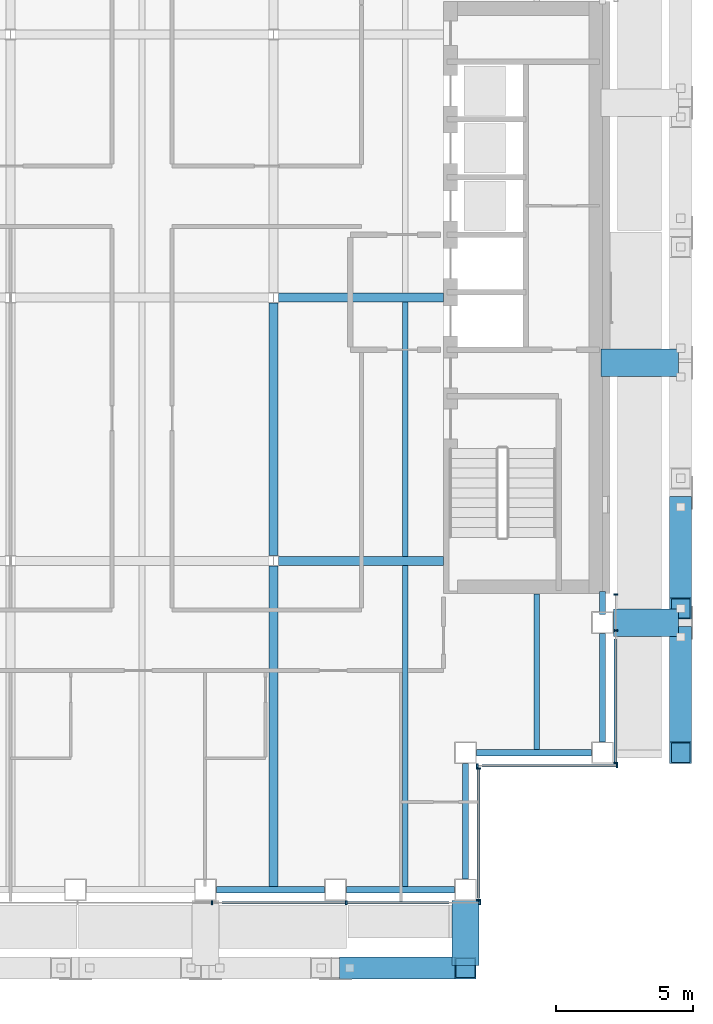
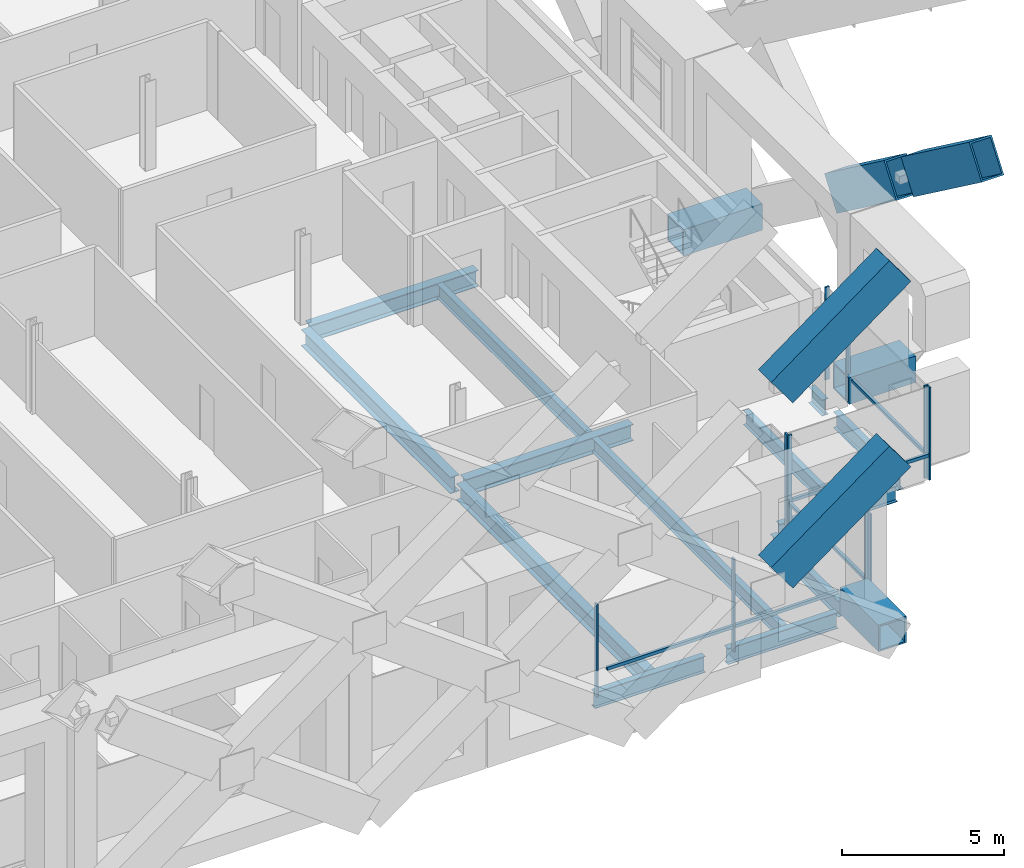
# One storey, part 6 of 25: 19 members, 16 beams, 4 elements without a shape of their own.
"""IFC4 building model written with IfcOpenShell, lengths in metres."""

from ifc_helpers import new_model, si_unit, direction, frame, origin, origin_2d, place, context, subcontext, project, spatial, rectangle, hollow_rectangle, i_section, extrude, material, material_profile, profile_set, type_object, element, aggregate, save


model = new_model("IFC4")

# Units and contexts
model_context = context("Model", 3, precision=1e-05, world=origin(), true_north=direction((0.0, 1.0)))
body_context = subcontext(model_context, "Body", "Model", "MODEL_VIEW")
ifc_project = project(units=[si_unit("LENGTHUNIT", "METRE"), si_unit("AREAUNIT", "SQUARE_METRE"), si_unit("VOLUMEUNIT", "CUBIC_METRE"), si_unit("PLANEANGLEUNIT", "RADIAN"), si_unit("MASSUNIT", "GRAM", prefix="KILO")], contexts=[model_context])

# Site, building, storey
site_placement = place(None, origin())
site = spatial("IfcSite", under=ifc_project, at=site_placement, CompositionType="ELEMENT")
building_placement = place(site_placement, origin())
building = spatial("IfcBuilding", under=site, at=building_placement, Name="Cobrizo Arcos Hotel Tower", CompositionType="ELEMENT")
storey_placement = place(building_placement, frame((0.0, 0.0, 148.0)))
storey = spatial("IfcBuildingStorey", under=building, at=storey_placement, Name="L37", CompositionType="ELEMENT", Elevation=148.0)

# Beams
ifc_material_1 = material(Name="Steel ASTM A572 Grade 50", Category="steel")
ifc_material_profile_1 = material_profile(ifc_material_1, hollow_rectangle(XDim=1.0, YDim=1.0, WallThickness=0.06005859375, at=origin_2d()), Name="BOX 1000X1000X60")
ifc_profile_set_1 = profile_set([ifc_material_profile_1], Name="Steel ASTM A572 Grade 50")
beam_type_1 = type_object("IfcBeamType", Name="BOX 1000X1000X60 brace connector strut", PredefinedType="BEAM", material=ifc_profile_set_1)
beam_1_placement = place(storey_placement, frame((21.989990234375, -11.857177734375, 0.5), z_axis=(1.0, 0.0, 0.0), x_axis=(0.0, 1.0, 0.0)))
element("IfcBeam", 1, at=beam_1_placement, inside=storey, type_object=beam_type_1, Name="Perimeter brace stub BS1, zone Z3, east face, offset -11.86 m, L37", PredefinedType="BEAM", context=body_context, shape_type="SweptSolid", body=[
    extrude(hollow_rectangle(XDim=1.0, YDim=1.0, WallThickness=0.06005859375, at=origin_2d()), origin(), (0.0, 0.0, 1.0), 2.380126953125),
])
beam_2_placement = place(storey_placement, frame((21.550048828125, -2.371337890625, 0.5), z_axis=(1.0, 0.0, 0.0), x_axis=(0.0, 1.0, 0.0)))
element("IfcBeam", 2, at=beam_2_placement, inside=storey, type_object=beam_type_1, Name="Perimeter brace stub BS1, zone Z3, east face, offset -2.37 m, L37", PredefinedType="BEAM", context=body_context, shape_type="SweptSolid", body=[
    extrude(hollow_rectangle(XDim=1.0, YDim=1.0, WallThickness=0.06005859375, at=origin_2d()), origin(), (0.0, 0.0, 1.0), 2.820068359375),
])
beam_3_placement = place(storey_placement, frame((16.60009765625, -21.989990234375, 0.5), z_axis=(0.0, -1.0, 0.0), x_axis=(1.0, 0.0, 0.0)))
element("IfcBeam", 3, at=beam_3_placement, inside=storey, type_object=beam_type_1, Name="Perimeter brace stub BS1, zone Z3, south face, offset +16.60 m, L37", PredefinedType="BEAM", context=body_context, shape_type="SweptSolid", body=[
    extrude(hollow_rectangle(XDim=1.0, YDim=1.0, WallThickness=0.06005859375, at=origin_2d()), origin(), (0.0, 0.0, 1.0), 2.380126953125),
])

# Members
ifc_material_profile_2 = material_profile(ifc_material_1, hollow_rectangle(XDim=0.800048828125, YDim=1.300048828125, WallThickness=0.06005859375, at=origin_2d()), Name="BOX 800X1300X60")
ifc_profile_set_2 = profile_set([ifc_material_profile_2], Name="Steel ASTM A572 Grade 50")
member_type_1 = type_object("IfcMemberType", Name="BOX 800X1300X60 perimeter brace", PredefinedType="BRACE", material=ifc_profile_set_2)
member_1_placement = place(storey_placement, frame((24.449951171875, -7.637451171875, 4.385986328125), z_axis=(0.0, -0.804612164142, 0.593800694943), x_axis=(1.0, 0.0, 0.0)))
element("IfcMember", 4, at=member_1_placement, inside=storey, type_object=member_type_1, Name="Perimeter brace PBR3, zone Z3, east face, no. 01b", PredefinedType="BRACE", context=body_context, shape_type="SweptSolid", body=[
    extrude(hollow_rectangle(XDim=0.800048828125, YDim=1.300048828125, WallThickness=0.06005859375, at=origin_2d()), origin(), (0.0, 0.0, 1.0), 4.59423828125),
])
for number, where, z_axis, x_axis, name in (
    (5, (24.449951171875, -12.38037109375, 7.885986328125), (0.0, -0.804623858684, 0.593784848271), (1.0, 0.0, 0.0), "Perimeter brace PBR3, zone Z3, east face, no. 01c"),
    (6, (12.38037109375, -24.449951171875, 11.385986328125), (0.804623858684, 0.0, 0.593784848271), (0.0, 1.0, 0.0), "Perimeter brace PBR3, zone Z3, south face, no. 02d"),
    (7, (12.38037109375, -24.449951171875, 4.385986328125), (0.804623858684, 0.0, 0.593784848271), (0.0, 1.0, 0.0), "Perimeter brace PBR3, zone Z3, south face, no. 04b"),
):
    element("IfcMember", number, at=place(storey_placement, frame(where, z_axis=z_axis, x_axis=x_axis)), inside=storey, type_object=member_type_1, Name=name, PredefinedType="BRACE", context=body_context, shape_type="SweptSolid", body=[
        extrude(hollow_rectangle(XDim=0.800048828125, YDim=1.300048828125, WallThickness=0.06005859375, at=origin_2d()), origin(), (0.0, 0.0, 1.0), 5.244384765625),
    ])

# Curtain wall, members
ifc_material_2 = material(Name="Aluminium 6063-T6 anodised bronze", Category="aluminium")
curtain_wall_type = type_object("IfcCurtainWallType", Name="CW-A guest facade", PredefinedType="NOTDEFINED", material=ifc_material_2)
curtain_wall_1_placement = place(storey_placement, origin())
curtain_wall_1 = element("IfcCurtainWall", 8, at=curtain_wall_1_placement, inside=storey, type_object=curtain_wall_type, Name="CW-A L37 S face", PredefinedType="NOTDEFINED")
ifc_material_profile_3 = material_profile(ifc_material_2, rectangle(XDim=0.14990234375, YDim=0.06005859375, at=origin_2d()), Name="CW-A mullion 150x60")
ifc_profile_set_3 = profile_set([ifc_material_profile_3], Name="Aluminium 6063-T6 anodised bronze")
member_type_2 = type_object("IfcMemberType", Name="CW-A mullion 150x60", PredefinedType="MULLION", material=ifc_profile_set_3)
member_2_placement = place(storey_placement, frame((7.35009765625, -22.074951171875, 0.0), z_axis=(0.0, 0.0, 1.0), x_axis=(0.0, -1.0, 0.0)))
member_2 = element("IfcMember", 9, at=member_2_placement, type_object=member_type_2, Name="CW-A mullion 6", PredefinedType="MULLION", context=body_context, shape_type="SweptSolid", body=[
    extrude(rectangle(XDim=0.14990234375, YDim=0.06005859375, at=origin_2d()), origin(), (0.0, 0.0, 1.0), 3.5),
])
member_3_placement = place(storey_placement, frame((12.25, -22.074951171875, 0.0), z_axis=(0.0, 0.0, 1.0), x_axis=(0.0, -1.0, 0.0)))
member_3 = element("IfcMember", 10, at=member_3_placement, type_object=member_type_2, Name="CW-A mullion 7", PredefinedType="MULLION", context=body_context, shape_type="SweptSolid", body=[
    extrude(rectangle(XDim=0.14990234375, YDim=0.06005859375, at=origin_2d()), origin(), (0.0, 0.0, 1.0), 3.5),
])
member_4_placement = place(storey_placement, frame((17.1201171875, -22.074951171875, 0.0), z_axis=(0.0, 0.0, 1.0), x_axis=(0.0, -1.0, 0.0)))
member_4 = element("IfcMember", 11, at=member_4_placement, type_object=member_type_2, Name="CW-A mullion 8", PredefinedType="MULLION", context=body_context, shape_type="SweptSolid", body=[
    extrude(rectangle(XDim=0.14990234375, YDim=0.06005859375, at=origin_2d()), origin(), (0.0, 0.0, 1.0), 3.5),
])

curtain_wall_2_placement = place(storey_placement, origin())
curtain_wall_2 = element("IfcCurtainWall", 12, at=curtain_wall_2_placement, inside=storey, type_object=curtain_wall_type, Name="CW-A L37 E face", PredefinedType="NOTDEFINED")
member_5_placement = place(storey_placement, frame((17.074951171875, -21.969970703125, 0.0), z_axis=(0.0, 0.0, 1.0), x_axis=(1.0, 0.0, 0.0)))
member_5 = element("IfcMember", 13, at=member_5_placement, type_object=member_type_2, Name="CW-A mullion 1", PredefinedType="MULLION", context=body_context, shape_type="SweptSolid", body=[
    extrude(rectangle(XDim=0.14990234375, YDim=0.06005859375, at=origin_2d()), origin(), (0.0, 0.0, 1.0), 3.5),
])
member_6_placement = place(storey_placement, frame((17.074951171875, -17.179931640625, 0.0), z_axis=(0.0, 0.0, 1.0), x_axis=(1.0, 0.0, 0.0)))
member_6 = element("IfcMember", 14, at=member_6_placement, type_object=member_type_2, Name="CW-A mullion 2", PredefinedType="MULLION", context=body_context, shape_type="SweptSolid", body=[
    extrude(rectangle(XDim=0.14990234375, YDim=0.06005859375, at=origin_2d()), origin(), (0.0, 0.0, 1.0), 3.5),
])

curtain_wall_3_placement = place(storey_placement, origin())
curtain_wall_3 = element("IfcCurtainWall", 15, at=curtain_wall_3_placement, inside=storey, type_object=curtain_wall_type, Name="CW-A L37 S face", PredefinedType="NOTDEFINED")
member_7_placement = place(storey_placement, frame((17.030029296875, -17.074951171875, 0.0), z_axis=(0.0, 0.0, 1.0), x_axis=(0.0, -1.0, 0.0)))
member_7 = element("IfcMember", 16, at=member_7_placement, type_object=member_type_2, Name="CW-A mullion 1", PredefinedType="MULLION", context=body_context, shape_type="SweptSolid", body=[
    extrude(rectangle(XDim=0.14990234375, YDim=0.06005859375, at=origin_2d()), origin(), (0.0, 0.0, 1.0), 3.5),
])
member_8_placement = place(storey_placement, frame((22.1201171875, -17.074951171875, 0.0), z_axis=(0.0, 0.0, 1.0), x_axis=(0.0, -1.0, 0.0)))
member_8 = element("IfcMember", 17, at=member_8_placement, type_object=member_type_2, Name="CW-A mullion 2", PredefinedType="MULLION", context=body_context, shape_type="SweptSolid", body=[
    extrude(rectangle(XDim=0.14990234375, YDim=0.06005859375, at=origin_2d()), origin(), (0.0, 0.0, 1.0), 3.5),
])

curtain_wall_4_placement = place(storey_placement, origin())
curtain_wall_4 = element("IfcCurtainWall", 18, at=curtain_wall_4_placement, inside=storey, type_object=curtain_wall_type, Name="CW-A L37 E face", PredefinedType="NOTDEFINED")
member_9_placement = place(storey_placement, frame((22.074951171875, -16.969970703125, 0.0), z_axis=(0.0, 0.0, 1.0), x_axis=(1.0, 0.0, 0.0)))
member_9 = element("IfcMember", 19, at=member_9_placement, type_object=member_type_2, Name="CW-A mullion 1", PredefinedType="MULLION", context=body_context, shape_type="SweptSolid", body=[
    extrude(rectangle(XDim=0.14990234375, YDim=0.06005859375, at=origin_2d()), origin(), (0.0, 0.0, 1.0), 3.5),
])
member_10_placement = place(storey_placement, frame((22.074951171875, -12.142822265625, 0.0), z_axis=(0.0, 0.0, 1.0), x_axis=(1.0, 0.0, 0.0)))
member_10 = element("IfcMember", 20, at=member_10_placement, type_object=member_type_2, Name="CW-A mullion 2", PredefinedType="MULLION", context=body_context, shape_type="SweptSolid", body=[
    extrude(rectangle(XDim=0.14990234375, YDim=0.06005859375, at=origin_2d()), origin(), (0.0, 0.0, 1.0), 3.5),
])
member_11_placement = place(storey_placement, frame((22.074951171875, -10.830078125, 0.0), z_axis=(0.0, 0.0, 1.0), x_axis=(1.0, 0.0, 0.0)))
member_11 = element("IfcMember", 21, at=member_11_placement, type_object=member_type_2, Name="CW-A mullion 3", PredefinedType="MULLION", context=body_context, shape_type="SweptSolid", body=[
    extrude(rectangle(XDim=0.14990234375, YDim=0.06005859375, at=origin_2d()), origin(), (0.0, 0.0, 1.0), 3.5),
])

# Member
ifc_material_profile_4 = material_profile(ifc_material_2, rectangle(XDim=0.10009765625, YDim=0.1201171875, at=origin_2d()), Name="CW-A transom 120x100")
ifc_profile_set_4 = profile_set([ifc_material_profile_4], Name="Aluminium 6063-T6 anodised bronze")
member_type_3 = type_object("IfcMemberType", Name="CW-A transom 120x100", PredefinedType="USERDEFINED", material=ifc_profile_set_4)
member_12_placement = place(storey_placement, frame((7.71435546875, -22.074951171875, 0.929931640625), z_axis=(1.0, 0.0, 0.0), x_axis=(0.0, 1.0, 0.0)))
member_12 = element("IfcMember", 22, at=member_12_placement, type_object=member_type_3, Name="CW-A transom 1341", ObjectType="TRANSOM", PredefinedType="USERDEFINED", context=body_context, shape_type="SweptSolid", body=[
    extrude(rectangle(XDim=0.10009765625, YDim=0.1201171875, at=origin_2d()), origin(), (0.0, 0.0, 1.0), 4.505615234375),
])

member_13_placement = place(storey_placement, frame((12.280029296875, -22.074951171875, 0.929931640625), z_axis=(1.0, 0.0, 0.0), x_axis=(0.0, 1.0, 0.0)))
member_13 = element("IfcMember", 23, at=member_13_placement, type_object=member_type_3, Name="CW-A transom 1342", ObjectType="TRANSOM", PredefinedType="USERDEFINED", context=body_context, shape_type="SweptSolid", body=[
    extrude(rectangle(XDim=0.10009765625, YDim=0.1201171875, at=origin_2d()), origin(), (0.0, 0.0, 1.0), 3.719970703125),
])

aggregate(curtain_wall_1, [member_2, member_3, member_4, member_12, member_13])

member_14_placement = place(storey_placement, frame((17.074951171875, -21.889892578125, 0.929931640625), z_axis=(0.0, 1.0, 0.0), x_axis=(-1.0, 0.0, 0.0)))
member_14 = element("IfcMember", 24, at=member_14_placement, type_object=member_type_3, Name="CW-A transom 1343", ObjectType="TRANSOM", PredefinedType="USERDEFINED", context=body_context, shape_type="SweptSolid", body=[
    extrude(rectangle(XDim=0.10009765625, YDim=0.1201171875, at=origin_2d()), origin(), (0.0, 0.0, 1.0), 4.679931640625),
])

aggregate(curtain_wall_2, [member_5, member_6, member_14])

member_15_placement = place(storey_placement, frame((17.199951171875, -17.074951171875, 0.929931640625), z_axis=(1.0, 0.0, 0.0), x_axis=(0.0, 1.0, 0.0)))
member_15 = element("IfcMember", 25, at=member_15_placement, type_object=member_type_3, Name="CW-A transom 1344", ObjectType="TRANSOM", PredefinedType="USERDEFINED", context=body_context, shape_type="SweptSolid", body=[
    extrude(rectangle(XDim=0.10009765625, YDim=0.1201171875, at=origin_2d()), origin(), (0.0, 0.0, 1.0), 4.89013671875),
])

aggregate(curtain_wall_3, [member_7, member_8, member_15])

member_16_placement = place(storey_placement, frame((22.074951171875, -16.93994140625, 0.929931640625), z_axis=(0.0, 1.0, 0.0), x_axis=(-1.0, 0.0, 0.0)))
member_16 = element("IfcMember", 26, at=member_16_placement, type_object=member_type_3, Name="CW-A transom 1345", ObjectType="TRANSOM", PredefinedType="USERDEFINED", context=body_context, shape_type="SweptSolid", body=[
    extrude(rectangle(XDim=0.10009765625, YDim=0.1201171875, at=origin_2d()), origin(), (0.0, 0.0, 1.0), 4.48291015625),
])

aggregate(curtain_wall_4, [member_9, member_10, member_11, member_16])

# Beams
ifc_material_3 = material(Name="Steel ASTM A992 Grade 50", Category="steel")
ifc_material_profile_5 = material_profile(ifc_material_3, i_section(OverallWidth=0.209228515625, OverallDepth=0.533447265625, WebThickness=0.01025390625, FlangeThickness=0.015625, at=origin_2d()), Name="W21X62")
ifc_profile_set_5 = profile_set([ifc_material_profile_5], Name="Steel ASTM A992 Grade 50")
beam_type_2 = type_object("IfcBeamType", Name="W21X62 joist", PredefinedType="JOIST", material=ifc_profile_set_5)
beam_4_placement = place(storey_placement, frame((14.39990234375, -21.510009765625, -0.416748046875), z_axis=(0.0, 1.0, 0.0), x_axis=(-1.0, 0.0, 0.0)))
element("IfcBeam", 27, at=beam_4_placement, inside=storey, type_object=beam_type_2, Name="Floor joist J1, L37, no. 015", PredefinedType="JOIST", context=body_context, shape_type="SweptSolid", body=[
    extrude(i_section(OverallWidth=0.209228515625, OverallDepth=0.533447265625, WebThickness=0.01025390625, FlangeThickness=0.015625, at=origin_2d()), origin(), (0.0, 0.0, 1.0), 11.74609375),
])
beam_5_placement = place(storey_placement, frame((14.39990234375, -9.43603515625, -0.416748046875), z_axis=(0.0, 1.0, 0.0), x_axis=(-1.0, 0.0, 0.0)))
element("IfcBeam", 28, at=beam_5_placement, inside=storey, type_object=beam_type_2, Name="Floor joist J1, L37, no. 016", PredefinedType="JOIST", context=body_context, shape_type="SweptSolid", body=[
    extrude(i_section(OverallWidth=0.209228515625, OverallDepth=0.533447265625, WebThickness=0.01025390625, FlangeThickness=0.015625, at=origin_2d()), origin(), (0.0, 0.0, 1.0), 9.272216796875),
])
beam_6_placement = place(storey_placement, frame((19.199951171875, -16.510009765625, -0.416748046875), z_axis=(0.0, 1.0, 0.0), x_axis=(-1.0, 0.0, 0.0)))
element("IfcBeam", 29, at=beam_6_placement, inside=storey, type_object=beam_type_2, Name="Floor joist J1, L37, no. 019", PredefinedType="JOIST", context=body_context, shape_type="SweptSolid", body=[
    extrude(i_section(OverallWidth=0.209228515625, OverallDepth=0.533447265625, WebThickness=0.01025390625, FlangeThickness=0.015625, at=origin_2d()), origin(), (0.0, 0.0, 1.0), 5.699951171875),
])
ifc_material_profile_6 = material_profile(ifc_material_3, i_section(OverallWidth=0.32763671875, OverallDepth=0.622314453125, WebThickness=0.015380859375, FlangeThickness=0.0244140625, at=origin_2d()), Name="W24X131")
ifc_profile_set_6 = profile_set([ifc_material_profile_6], Name="Steel ASTM A992 Grade 50")
beam_type_3 = type_object("IfcBeamType", Name="W24X131 girder", PredefinedType="BEAM", material=ifc_profile_set_6)
for number, where, z_axis, x_axis, name in (
    (30, (9.78662109375, -9.60009765625, -0.461181640625), (1.0, 0.0, 0.0), (0.0, 1.0, 0.0), "Floor girder G1, L37, no. 004"),
    (31, (9.78662109375, 0.0, -0.461181640625), (1.0, 0.0, 0.0), (0.0, 1.0, 0.0), "Floor girder G1, L37, no. 008"),
):
    element("IfcBeam", number, at=place(storey_placement, frame(where, z_axis=z_axis, x_axis=x_axis)), inside=storey, type_object=beam_type_3, Name=name, PredefinedType="BEAM", context=body_context, shape_type="SweptSolid", body=[
        extrude(i_section(OverallWidth=0.32763671875, OverallDepth=0.622314453125, WebThickness=0.015380859375, FlangeThickness=0.0244140625, at=origin_2d()), origin(), (0.0, 0.0, 1.0), 6.00341796875),
    ])
beam_7_placement = place(storey_placement, frame((9.60009765625, -21.510009765625, -0.461181640625), z_axis=(0.0, 1.0, 0.0), x_axis=(-1.0, 0.0, 0.0)))
element("IfcBeam", 32, at=beam_7_placement, inside=storey, type_object=beam_type_3, Name="Floor girder G1, L37, no. 021", PredefinedType="BEAM", context=body_context, shape_type="SweptSolid", body=[
    extrude(i_section(OverallWidth=0.32763671875, OverallDepth=0.622314453125, WebThickness=0.015380859375, FlangeThickness=0.0244140625, at=origin_2d()), origin(), (0.0, 0.0, 1.0), 11.723388671875),
])
beam_8_placement = place(storey_placement, frame((9.60009765625, -9.413330078125, -0.461181640625), z_axis=(0.0, 1.0, 0.0), x_axis=(-1.0, 0.0, 0.0)))
element("IfcBeam", 33, at=beam_8_placement, inside=storey, type_object=beam_type_3, Name="Floor girder G1, L37, no. 022", PredefinedType="BEAM", context=body_context, shape_type="SweptSolid", body=[
    extrude(i_section(OverallWidth=0.32763671875, OverallDepth=0.622314453125, WebThickness=0.015380859375, FlangeThickness=0.0244140625, at=origin_2d()), origin(), (0.0, 0.0, 1.0), 9.2265625),
])
ifc_material_profile_7 = material_profile(ifc_material_3, i_section(OverallWidth=0.228271484375, OverallDepth=0.607177734375, WebThickness=0.01123046875, FlangeThickness=0.017333984375, at=origin_2d()), Name="W24X76")
ifc_profile_set_7 = profile_set([ifc_material_profile_7], Name="Steel ASTM A992 Grade 50")
beam_type_4 = type_object("IfcBeamType", Name="W24X76 spandrel", PredefinedType="SPANDREL", material=ifc_profile_set_7)
beam_9_placement = place(storey_placement, frame((7.513916015625, -21.60009765625, -0.45361328125), z_axis=(1.0, 0.0, 0.0), x_axis=(0.0, 1.0, 0.0)))
element("IfcBeam", 34, at=beam_9_placement, inside=storey, type_object=beam_type_4, Name="Spandrel beam W24X76, L37, no. 006", PredefinedType="SPANDREL", context=body_context, shape_type="SweptSolid", body=[
    extrude(i_section(OverallWidth=0.228271484375, OverallDepth=0.607177734375, WebThickness=0.01123046875, FlangeThickness=0.017333984375, at=origin_2d()), origin(), (0.0, 0.0, 1.0), 3.943115234375),
])
beam_10_placement = place(storey_placement, frame((12.257080078125, -21.60009765625, -0.45361328125), z_axis=(1.0, 0.0, 0.0), x_axis=(0.0, 1.0, 0.0)))
element("IfcBeam", 35, at=beam_10_placement, inside=storey, type_object=beam_type_4, Name="Spandrel beam W24X76, L37, no. 007", PredefinedType="SPANDREL", context=body_context, shape_type="SweptSolid", body=[
    extrude(i_section(OverallWidth=0.228271484375, OverallDepth=0.607177734375, WebThickness=0.01123046875, FlangeThickness=0.017333984375, at=origin_2d()), origin(), (0.0, 0.0, 1.0), 3.94287109375),
])
for number, where, z_axis, x_axis, name in (
    (36, (16.60009765625, -21.199951171875, -0.45361328125), (0.0, 1.0, 0.0), (-1.0, 0.0, 0.0), "Spandrel beam W24X76, L37, no. 008"),
    (37, (17.0, -16.60009765625, -0.45361328125), (1.0, 0.0, 0.0), (0.0, 1.0, 0.0), "Spandrel beam W24X76, L37, no. 009"),
):
    element("IfcBeam", number, at=place(storey_placement, frame(where, z_axis=z_axis, x_axis=x_axis)), inside=storey, type_object=beam_type_4, Name=name, PredefinedType="SPANDREL", context=body_context, shape_type="SweptSolid", body=[
        extrude(i_section(OverallWidth=0.228271484375, OverallDepth=0.607177734375, WebThickness=0.01123046875, FlangeThickness=0.017333984375, at=origin_2d()), origin(), (0.0, 0.0, 1.0), 4.199951171875),
    ])
beam_11_placement = place(storey_placement, frame((21.60009765625, -16.199951171875, -0.45361328125), z_axis=(0.0, 1.0, 0.0), x_axis=(-1.0, 0.0, 0.0)))
element("IfcBeam", 38, at=beam_11_placement, inside=storey, type_object=beam_type_4, Name="Spandrel beam W24X76, L37, no. 010", PredefinedType="SPANDREL", context=body_context, shape_type="SweptSolid", body=[
    extrude(i_section(OverallWidth=0.228271484375, OverallDepth=0.607177734375, WebThickness=0.01123046875, FlangeThickness=0.017333984375, at=origin_2d()), origin(), (0.0, 0.0, 1.0), 3.94287109375),
])
beam_12_placement = place(storey_placement, frame((21.60009765625, -11.556884765625, -0.45361328125), z_axis=(0.0, 1.0, 0.0), x_axis=(-1.0, 0.0, 0.0)))
element("IfcBeam", 39, at=beam_12_placement, inside=storey, type_object=beam_type_4, Name="Spandrel beam W24X76, L37, no. 011", PredefinedType="SPANDREL", context=body_context, shape_type="SweptSolid", body=[
    extrude(i_section(OverallWidth=0.228271484375, OverallDepth=0.607177734375, WebThickness=0.01123046875, FlangeThickness=0.017333984375, at=origin_2d()), origin(), (0.0, 0.0, 1.0), 0.846923828125),
])

save(model, "model.ifc")
